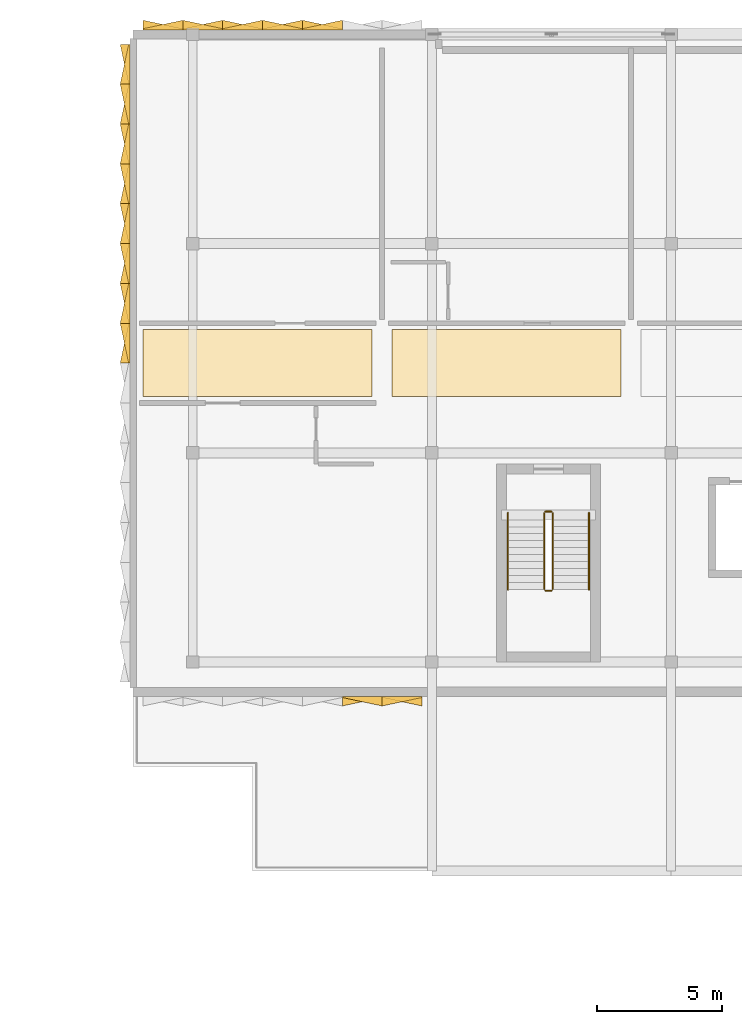
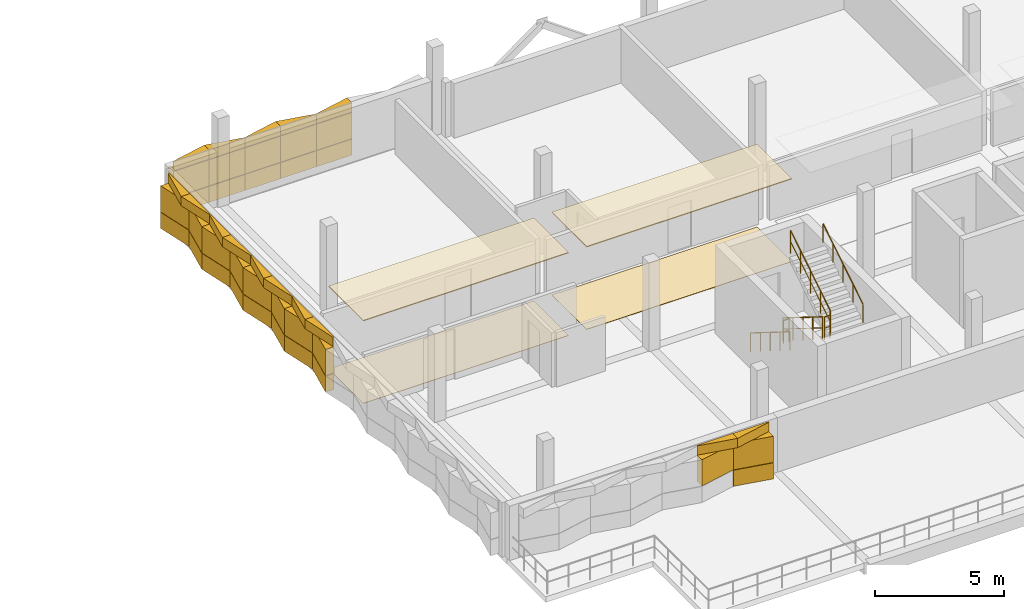
# One storey, part 10 of 13: 48 coverings, 6 railings.
"""IFC4 building model written with IfcOpenShell, lengths in metres."""

from ifc_helpers import new_model, si_unit, direction, frame, origin, origin_2d, place, context, subcontext, project, spatial, polyline, circle, outline, extrude, material, layer, layer_set, type_object, element, save


model = new_model("IFC4")

# Units and contexts
model_context = context("Model", 3, precision=1e-05, world=origin(), true_north=direction((0.0, 1.0)))
body_context = subcontext(model_context, "Body", "Model", "MODEL_VIEW")
ifc_project = project(units=[si_unit("LENGTHUNIT", "METRE"), si_unit("AREAUNIT", "SQUARE_METRE"), si_unit("VOLUMEUNIT", "CUBIC_METRE"), si_unit("PLANEANGLEUNIT", "RADIAN"), si_unit("MASSUNIT", "GRAM", prefix="KILO")], contexts=[model_context])

# Site, building, storey
site_placement = place(None, origin())
site = spatial("IfcSite", under=ifc_project, at=site_placement, CompositionType="ELEMENT")
building_placement = place(site_placement, origin())
building = spatial("IfcBuilding", under=site, at=building_placement, Name="Oolite Switchyard Hospital", CompositionType="ELEMENT")
storey_placement = place(building_placement, frame((0.0, 0.0, 30.39990234375)))
storey = spatial("IfcBuildingStorey", under=building, at=storey_placement, Name="L07", CompositionType="ELEMENT", Elevation=30.39990234375)

# Coverings
ifc_material_1 = material(Name="Hygienic washable mineral-fibre acoustic ceiling")
ifc_layer_1 = layer(ifc_material_1, 0.0400390625)
ifc_layer_set_1 = layer_set([ifc_layer_1], Name="COV-CEIL-AC60")
covering_type_1 = type_object("IfcCoveringType", Name="COV-CEIL-AC60", PredefinedType="CEILING", material=ifc_layer_set_1)
covering_1_placement = place(storey_placement, frame((0.0, 0.0, 3.91015625)))
element("IfcCovering", 1, at=covering_1_placement, inside=storey, type_object=covering_type_1, Name="L07 Transplant and AIIR Isolation Ward Corridor Ceiling 1", PredefinedType="CEILING", context=body_context, shape_type="SweptSolid", body=[
    extrude(outline(polyline([(142.0, 119.85009765625), (151.199951171875, 119.85009765625), (151.199951171875, 122.550048828125), (142.0, 122.550048828125), (142.0, 119.85009765625)])), origin(), (0.0, 0.0, 1.0), 0.0400390625),
])
covering_2_placement = place(storey_placement, frame((0.0, 0.0, 3.91015625)))
element("IfcCovering", 2, at=covering_2_placement, inside=storey, type_object=covering_type_1, Name="L07 Transplant and AIIR Isolation Ward Corridor Ceiling 2", PredefinedType="CEILING", context=body_context, shape_type="SweptSolid", body=[
    extrude(outline(polyline([(152.0, 119.85009765625), (161.199951171875, 119.85009765625), (161.199951171875, 122.550048828125), (152.0, 122.550048828125), (152.0, 119.85009765625)])), origin(), (0.0, 0.0, 1.0), 0.0400390625),
])
ifc_material_2 = material(Name="Precast oolitic limestone architectural concrete C40/50", Category="masonry")
covering_type_2 = type_object("IfcCoveringType", Name="COV-CHEV-COOL", PredefinedType="CLADDING", material=ifc_material_2)
covering_3_placement = place(storey_placement, frame((153.199951171875, 107.820068359375, 0.050048828125), z_axis=(0.0, 0.0, 1.0), x_axis=(-1.0, 0.0, 0.0)))
element("IfcCovering", 3, at=covering_3_placement, inside=storey, type_object=covering_type_2, Name="L07 Chevron Precast Oolite Panel 1697", PredefinedType="CLADDING", context=body_context, shape_type="SweptSolid", body=[
    extrude(outline(polyline([(0.0, 0.0), (1.599853515625, 0.0), (1.599853515625, 0.044921875), (0.0, 0.385009765625), (0.0, 0.0)])), origin(), (0.0, 0.0, 1.0), 0.760009765625),
])
covering_4_placement = place(storey_placement, frame((153.199951171875, 107.820068359375, 2.090087890625), z_axis=(0.0, 0.0, 1.0), x_axis=(-1.0, 0.0, 0.0)))
element("IfcCovering", 4, at=covering_4_placement, inside=storey, type_object=covering_type_2, Name="L07 Chevron Precast Oolite Panel 1698", PredefinedType="CLADDING", context=body_context, shape_type="SweptSolid", body=[
    extrude(outline(polyline([(0.0, 0.0), (1.599853515625, 0.0), (1.599853515625, 0.385009765625), (0.0, 0.044921875), (0.0, 0.0)])), origin(), (0.0, 0.0, 1.0), 0.43994140625),
])
covering_5_placement = place(storey_placement, frame((153.199951171875, 107.820068359375, 0.830078125), z_axis=(0.0, 0.0, 1.0), x_axis=(-1.0, 0.0, 0.0)))
element("IfcCovering", 5, at=covering_5_placement, inside=storey, type_object=covering_type_2, Name="L07 Chevron Precast Oolite Panel 1699", PredefinedType="CLADDING", context=body_context, shape_type="SweptSolid", body=[
    extrude(outline(polyline([(0.0, 0.0), (1.599853515625, 0.0), (1.599853515625, 0.044921875), (0.0, 0.385009765625), (0.0, 0.0)])), origin(), (0.0, 0.0, 1.0), 1.239990234375),
])
covering_6_placement = place(storey_placement, frame((151.60009765625, 107.820068359375, 2.090087890625), z_axis=(0.0, 0.0, 1.0), x_axis=(-1.0, 0.0, 0.0)))
element("IfcCovering", 6, at=covering_6_placement, inside=storey, type_object=covering_type_2, Name="L07 Chevron Precast Oolite Panel 1701", PredefinedType="CLADDING", context=body_context, shape_type="SweptSolid", body=[
    extrude(outline(polyline([(0.0, 0.0), (1.60009765625, 0.0), (1.60009765625, 0.044921875), (0.0, 0.385009765625), (0.0, 0.0)])), origin(), (0.0, 0.0, 1.0), 0.43994140625),
])
covering_7_placement = place(storey_placement, frame((151.60009765625, 107.820068359375, 0.830078125), z_axis=(0.0, 0.0, 1.0), x_axis=(-1.0, 0.0, 0.0)))
element("IfcCovering", 7, at=covering_7_placement, inside=storey, type_object=covering_type_2, Name="L07 Chevron Precast Oolite Panel 1702", PredefinedType="CLADDING", context=body_context, shape_type="SweptSolid", body=[
    extrude(outline(polyline([(0.0, 0.0), (1.60009765625, 0.0), (1.60009765625, 0.385009765625), (0.0, 0.044921875), (0.0, 0.0)])), origin(), (0.0, 0.0, 1.0), 1.239990234375),
])
covering_8_placement = place(storey_placement, frame((142.0, 134.580078125, 0.050048828125), z_axis=(0.0, 0.0, 1.0), x_axis=(1.0, 0.0, 0.0)))
element("IfcCovering", 8, at=covering_8_placement, inside=storey, type_object=covering_type_2, Name="L07 Chevron Precast Oolite Panel 1793", PredefinedType="CLADDING", context=body_context, shape_type="SweptSolid", body=[
    extrude(outline(polyline([(0.0, 0.0), (1.60009765625, 0.0), (1.60009765625, 0.044921875), (0.0, 0.385009765625), (0.0, 0.0)])), origin(), (0.0, 0.0, 1.0), 0.760009765625),
])
covering_9_placement = place(storey_placement, frame((142.0, 134.580078125, 2.090087890625), z_axis=(0.0, 0.0, 1.0), x_axis=(1.0, 0.0, 0.0)))
element("IfcCovering", 9, at=covering_9_placement, inside=storey, type_object=covering_type_2, Name="L07 Chevron Precast Oolite Panel 1794", PredefinedType="CLADDING", context=body_context, shape_type="SweptSolid", body=[
    extrude(outline(polyline([(0.0, 0.0), (1.60009765625, 0.0), (1.60009765625, 0.385009765625), (0.0, 0.044921875), (0.0, 0.0)])), origin(), (0.0, 0.0, 1.0), 0.43994140625),
])
covering_10_placement = place(storey_placement, frame((142.0, 134.580078125, 0.830078125), z_axis=(0.0, 0.0, 1.0), x_axis=(1.0, 0.0, 0.0)))
element("IfcCovering", 10, at=covering_10_placement, inside=storey, type_object=covering_type_2, Name="L07 Chevron Precast Oolite Panel 1795", PredefinedType="CLADDING", context=body_context, shape_type="SweptSolid", body=[
    extrude(outline(polyline([(0.0, 0.0), (1.60009765625, 0.0), (1.60009765625, 0.044921875), (0.0, 0.385009765625), (0.0, 0.0)])), origin(), (0.0, 0.0, 1.0), 1.239990234375),
])
covering_11_placement = place(storey_placement, frame((143.60009765625, 134.580078125, 0.050048828125), z_axis=(0.0, 0.0, 1.0), x_axis=(1.0, 0.0, 0.0)))
element("IfcCovering", 11, at=covering_11_placement, inside=storey, type_object=covering_type_2, Name="L07 Chevron Precast Oolite Panel 1796", PredefinedType="CLADDING", context=body_context, shape_type="SweptSolid", body=[
    extrude(outline(polyline([(0.0, 0.0), (1.599853515625, 0.0), (1.599853515625, 0.385009765625), (0.0, 0.044921875), (0.0, 0.0)])), origin(), (0.0, 0.0, 1.0), 0.760009765625),
])
covering_12_placement = place(storey_placement, frame((143.60009765625, 134.580078125, 2.090087890625), z_axis=(0.0, 0.0, 1.0), x_axis=(1.0, 0.0, 0.0)))
element("IfcCovering", 12, at=covering_12_placement, inside=storey, type_object=covering_type_2, Name="L07 Chevron Precast Oolite Panel 1797", PredefinedType="CLADDING", context=body_context, shape_type="SweptSolid", body=[
    extrude(outline(polyline([(0.0, 0.0), (1.599853515625, 0.0), (1.599853515625, 0.044921875), (0.0, 0.385009765625), (0.0, 0.0)])), origin(), (0.0, 0.0, 1.0), 0.43994140625),
])
covering_13_placement = place(storey_placement, frame((143.60009765625, 134.580078125, 0.830078125), z_axis=(0.0, 0.0, 1.0), x_axis=(1.0, 0.0, 0.0)))
element("IfcCovering", 13, at=covering_13_placement, inside=storey, type_object=covering_type_2, Name="L07 Chevron Precast Oolite Panel 1798", PredefinedType="CLADDING", context=body_context, shape_type="SweptSolid", body=[
    extrude(outline(polyline([(0.0, 0.0), (1.599853515625, 0.0), (1.599853515625, 0.385009765625), (0.0, 0.044921875), (0.0, 0.0)])), origin(), (0.0, 0.0, 1.0), 1.239990234375),
])
covering_14_placement = place(storey_placement, frame((145.199951171875, 134.580078125, 0.050048828125), z_axis=(0.0, 0.0, 1.0), x_axis=(1.0, 0.0, 0.0)))
element("IfcCovering", 14, at=covering_14_placement, inside=storey, type_object=covering_type_2, Name="L07 Chevron Precast Oolite Panel 1799", PredefinedType="CLADDING", context=body_context, shape_type="SweptSolid", body=[
    extrude(outline(polyline([(0.0, 0.0), (1.60009765625, 0.0), (1.60009765625, 0.044921875), (0.0, 0.385009765625), (0.0, 0.0)])), origin(), (0.0, 0.0, 1.0), 0.760009765625),
])
covering_15_placement = place(storey_placement, frame((145.199951171875, 134.580078125, 2.090087890625), z_axis=(0.0, 0.0, 1.0), x_axis=(1.0, 0.0, 0.0)))
element("IfcCovering", 15, at=covering_15_placement, inside=storey, type_object=covering_type_2, Name="L07 Chevron Precast Oolite Panel 1800", PredefinedType="CLADDING", context=body_context, shape_type="SweptSolid", body=[
    extrude(outline(polyline([(0.0, 0.0), (1.60009765625, 0.0), (1.60009765625, 0.385009765625), (0.0, 0.044921875), (0.0, 0.0)])), origin(), (0.0, 0.0, 1.0), 0.43994140625),
])
covering_16_placement = place(storey_placement, frame((145.199951171875, 134.580078125, 0.830078125), z_axis=(0.0, 0.0, 1.0), x_axis=(1.0, 0.0, 0.0)))
element("IfcCovering", 16, at=covering_16_placement, inside=storey, type_object=covering_type_2, Name="L07 Chevron Precast Oolite Panel 1801", PredefinedType="CLADDING", context=body_context, shape_type="SweptSolid", body=[
    extrude(outline(polyline([(0.0, 0.0), (1.60009765625, 0.0), (1.60009765625, 0.044921875), (0.0, 0.385009765625), (0.0, 0.0)])), origin(), (0.0, 0.0, 1.0), 1.239990234375),
])
covering_17_placement = place(storey_placement, frame((146.800048828125, 134.580078125, 0.050048828125), z_axis=(0.0, 0.0, 1.0), x_axis=(1.0, 0.0, 0.0)))
element("IfcCovering", 17, at=covering_17_placement, inside=storey, type_object=covering_type_2, Name="L07 Chevron Precast Oolite Panel 1802", PredefinedType="CLADDING", context=body_context, shape_type="SweptSolid", body=[
    extrude(outline(polyline([(0.0, 0.0), (1.599853515625, 0.0), (1.599853515625, 0.385009765625), (0.0, 0.044921875), (0.0, 0.0)])), origin(), (0.0, 0.0, 1.0), 0.760009765625),
])
covering_18_placement = place(storey_placement, frame((146.800048828125, 134.580078125, 2.090087890625), z_axis=(0.0, 0.0, 1.0), x_axis=(1.0, 0.0, 0.0)))
element("IfcCovering", 18, at=covering_18_placement, inside=storey, type_object=covering_type_2, Name="L07 Chevron Precast Oolite Panel 1803", PredefinedType="CLADDING", context=body_context, shape_type="SweptSolid", body=[
    extrude(outline(polyline([(0.0, 0.0), (1.599853515625, 0.0), (1.599853515625, 0.044921875), (0.0, 0.385009765625), (0.0, 0.0)])), origin(), (0.0, 0.0, 1.0), 0.43994140625),
])
covering_19_placement = place(storey_placement, frame((146.800048828125, 134.580078125, 0.830078125), z_axis=(0.0, 0.0, 1.0), x_axis=(1.0, 0.0, 0.0)))
element("IfcCovering", 19, at=covering_19_placement, inside=storey, type_object=covering_type_2, Name="L07 Chevron Precast Oolite Panel 1804", PredefinedType="CLADDING", context=body_context, shape_type="SweptSolid", body=[
    extrude(outline(polyline([(0.0, 0.0), (1.599853515625, 0.0), (1.599853515625, 0.385009765625), (0.0, 0.044921875), (0.0, 0.0)])), origin(), (0.0, 0.0, 1.0), 1.239990234375),
])
covering_20_placement = place(storey_placement, frame((148.39990234375, 134.580078125, 0.050048828125), z_axis=(0.0, 0.0, 1.0), x_axis=(1.0, 0.0, 0.0)))
element("IfcCovering", 20, at=covering_20_placement, inside=storey, type_object=covering_type_2, Name="L07 Chevron Precast Oolite Panel 1805", PredefinedType="CLADDING", context=body_context, shape_type="SweptSolid", body=[
    extrude(outline(polyline([(0.0, 0.0), (1.60009765625, 0.0), (1.60009765625, 0.044921875), (0.0, 0.385009765625), (0.0, 0.0)])), origin(), (0.0, 0.0, 1.0), 0.760009765625),
])
covering_21_placement = place(storey_placement, frame((148.39990234375, 134.580078125, 2.090087890625), z_axis=(0.0, 0.0, 1.0), x_axis=(1.0, 0.0, 0.0)))
element("IfcCovering", 21, at=covering_21_placement, inside=storey, type_object=covering_type_2, Name="L07 Chevron Precast Oolite Panel 1806", PredefinedType="CLADDING", context=body_context, shape_type="SweptSolid", body=[
    extrude(outline(polyline([(0.0, 0.0), (1.60009765625, 0.0), (1.60009765625, 0.385009765625), (0.0, 0.044921875), (0.0, 0.0)])), origin(), (0.0, 0.0, 1.0), 0.43994140625),
])
covering_22_placement = place(storey_placement, frame((148.39990234375, 134.580078125, 0.830078125), z_axis=(0.0, 0.0, 1.0), x_axis=(1.0, 0.0, 0.0)))
element("IfcCovering", 22, at=covering_22_placement, inside=storey, type_object=covering_type_2, Name="L07 Chevron Precast Oolite Panel 1807", PredefinedType="CLADDING", context=body_context, shape_type="SweptSolid", body=[
    extrude(outline(polyline([(0.0, 0.0), (1.60009765625, 0.0), (1.60009765625, 0.044921875), (0.0, 0.385009765625), (0.0, 0.0)])), origin(), (0.0, 0.0, 1.0), 1.239990234375),
])
covering_23_placement = place(storey_placement, frame((141.469970703125, 121.199951171875, 0.050048828125), z_axis=(0.0, 0.0, 1.0), x_axis=(0.0, 1.0, 0.0)))
element("IfcCovering", 23, at=covering_23_placement, inside=storey, type_object=covering_type_2, Name="L07 Chevron Precast Oolite Panel 1868", PredefinedType="CLADDING", context=body_context, shape_type="SweptSolid", body=[
    extrude(outline(polyline([(0.0, 0.0), (1.60009765625, 0.0), (1.60009765625, 0.044921875), (0.0, 0.385009765625), (0.0, 0.0)])), origin(), (0.0, 0.0, 1.0), 0.760009765625),
])
covering_24_placement = place(storey_placement, frame((141.469970703125, 121.199951171875, 2.090087890625), z_axis=(0.0, 0.0, 1.0), x_axis=(0.0, 1.0, 0.0)))
element("IfcCovering", 24, at=covering_24_placement, inside=storey, type_object=covering_type_2, Name="L07 Chevron Precast Oolite Panel 1869", PredefinedType="CLADDING", context=body_context, shape_type="SweptSolid", body=[
    extrude(outline(polyline([(0.0, 0.0), (1.60009765625, 0.0), (1.60009765625, 0.385009765625), (0.0, 0.044921875), (0.0, 0.0)])), origin(), (0.0, 0.0, 1.0), 0.43994140625),
])
covering_25_placement = place(storey_placement, frame((141.469970703125, 121.199951171875, 0.830078125), z_axis=(0.0, 0.0, 1.0), x_axis=(0.0, 1.0, 0.0)))
element("IfcCovering", 25, at=covering_25_placement, inside=storey, type_object=covering_type_2, Name="L07 Chevron Precast Oolite Panel 1870", PredefinedType="CLADDING", context=body_context, shape_type="SweptSolid", body=[
    extrude(outline(polyline([(0.0, 0.0), (1.60009765625, 0.0), (1.60009765625, 0.044921875), (0.0, 0.385009765625), (0.0, 0.0)])), origin(), (0.0, 0.0, 1.0), 1.239990234375),
])
covering_26_placement = place(storey_placement, frame((141.469970703125, 122.800048828125, 0.050048828125), z_axis=(0.0, 0.0, 1.0), x_axis=(0.0, 1.0, 0.0)))
element("IfcCovering", 26, at=covering_26_placement, inside=storey, type_object=covering_type_2, Name="L07 Chevron Precast Oolite Panel 1871", PredefinedType="CLADDING", context=body_context, shape_type="SweptSolid", body=[
    extrude(outline(polyline([(0.0, 0.0), (1.599853515625, 0.0), (1.599853515625, 0.385009765625), (0.0, 0.044921875), (0.0, 0.0)])), origin(), (0.0, 0.0, 1.0), 0.760009765625),
])
covering_27_placement = place(storey_placement, frame((141.469970703125, 122.800048828125, 2.090087890625), z_axis=(0.0, 0.0, 1.0), x_axis=(0.0, 1.0, 0.0)))
element("IfcCovering", 27, at=covering_27_placement, inside=storey, type_object=covering_type_2, Name="L07 Chevron Precast Oolite Panel 1872", PredefinedType="CLADDING", context=body_context, shape_type="SweptSolid", body=[
    extrude(outline(polyline([(0.0, 0.0), (1.599853515625, 0.0), (1.599853515625, 0.044921875), (0.0, 0.385009765625), (0.0, 0.0)])), origin(), (0.0, 0.0, 1.0), 0.43994140625),
])
covering_28_placement = place(storey_placement, frame((141.469970703125, 122.800048828125, 0.830078125), z_axis=(0.0, 0.0, 1.0), x_axis=(0.0, 1.0, 0.0)))
element("IfcCovering", 28, at=covering_28_placement, inside=storey, type_object=covering_type_2, Name="L07 Chevron Precast Oolite Panel 1873", PredefinedType="CLADDING", context=body_context, shape_type="SweptSolid", body=[
    extrude(outline(polyline([(0.0, 0.0), (1.599853515625, 0.0), (1.599853515625, 0.385009765625), (0.0, 0.044921875), (0.0, 0.0)])), origin(), (0.0, 0.0, 1.0), 1.239990234375),
])
covering_29_placement = place(storey_placement, frame((141.469970703125, 124.39990234375, 0.050048828125), z_axis=(0.0, 0.0, 1.0), x_axis=(0.0, 1.0, 0.0)))
element("IfcCovering", 29, at=covering_29_placement, inside=storey, type_object=covering_type_2, Name="L07 Chevron Precast Oolite Panel 1874", PredefinedType="CLADDING", context=body_context, shape_type="SweptSolid", body=[
    extrude(outline(polyline([(0.0, 0.0), (1.60009765625, 0.0), (1.60009765625, 0.044921875), (0.0, 0.385009765625), (0.0, 0.0)])), origin(), (0.0, 0.0, 1.0), 0.760009765625),
])
covering_30_placement = place(storey_placement, frame((141.469970703125, 124.39990234375, 2.090087890625), z_axis=(0.0, 0.0, 1.0), x_axis=(0.0, 1.0, 0.0)))
element("IfcCovering", 30, at=covering_30_placement, inside=storey, type_object=covering_type_2, Name="L07 Chevron Precast Oolite Panel 1875", PredefinedType="CLADDING", context=body_context, shape_type="SweptSolid", body=[
    extrude(outline(polyline([(0.0, 0.0), (1.60009765625, 0.0), (1.60009765625, 0.385009765625), (0.0, 0.044921875), (0.0, 0.0)])), origin(), (0.0, 0.0, 1.0), 0.43994140625),
])
covering_31_placement = place(storey_placement, frame((141.469970703125, 124.39990234375, 0.830078125), z_axis=(0.0, 0.0, 1.0), x_axis=(0.0, 1.0, 0.0)))
element("IfcCovering", 31, at=covering_31_placement, inside=storey, type_object=covering_type_2, Name="L07 Chevron Precast Oolite Panel 1876", PredefinedType="CLADDING", context=body_context, shape_type="SweptSolid", body=[
    extrude(outline(polyline([(0.0, 0.0), (1.60009765625, 0.0), (1.60009765625, 0.044921875), (0.0, 0.385009765625), (0.0, 0.0)])), origin(), (0.0, 0.0, 1.0), 1.239990234375),
])
covering_32_placement = place(storey_placement, frame((141.469970703125, 126.0, 0.050048828125), z_axis=(0.0, 0.0, 1.0), x_axis=(0.0, 1.0, 0.0)))
element("IfcCovering", 32, at=covering_32_placement, inside=storey, type_object=covering_type_2, Name="L07 Chevron Precast Oolite Panel 1877", PredefinedType="CLADDING", context=body_context, shape_type="SweptSolid", body=[
    extrude(outline(polyline([(0.0, 0.0), (1.60009765625, 0.0), (1.60009765625, 0.385009765625), (0.0, 0.044921875), (0.0, 0.0)])), origin(), (0.0, 0.0, 1.0), 0.760009765625),
])
covering_33_placement = place(storey_placement, frame((141.469970703125, 126.0, 2.090087890625), z_axis=(0.0, 0.0, 1.0), x_axis=(0.0, 1.0, 0.0)))
element("IfcCovering", 33, at=covering_33_placement, inside=storey, type_object=covering_type_2, Name="L07 Chevron Precast Oolite Panel 1878", PredefinedType="CLADDING", context=body_context, shape_type="SweptSolid", body=[
    extrude(outline(polyline([(0.0, 0.0), (1.60009765625, 0.0), (1.60009765625, 0.044921875), (0.0, 0.385009765625), (0.0, 0.0)])), origin(), (0.0, 0.0, 1.0), 0.43994140625),
])
covering_34_placement = place(storey_placement, frame((141.469970703125, 126.0, 0.830078125), z_axis=(0.0, 0.0, 1.0), x_axis=(0.0, 1.0, 0.0)))
element("IfcCovering", 34, at=covering_34_placement, inside=storey, type_object=covering_type_2, Name="L07 Chevron Precast Oolite Panel 1879", PredefinedType="CLADDING", context=body_context, shape_type="SweptSolid", body=[
    extrude(outline(polyline([(0.0, 0.0), (1.60009765625, 0.0), (1.60009765625, 0.385009765625), (0.0, 0.044921875), (0.0, 0.0)])), origin(), (0.0, 0.0, 1.0), 1.239990234375),
])
covering_35_placement = place(storey_placement, frame((141.469970703125, 127.60009765625, 0.050048828125), z_axis=(0.0, 0.0, 1.0), x_axis=(0.0, 1.0, 0.0)))
element("IfcCovering", 35, at=covering_35_placement, inside=storey, type_object=covering_type_2, Name="L07 Chevron Precast Oolite Panel 1880", PredefinedType="CLADDING", context=body_context, shape_type="SweptSolid", body=[
    extrude(outline(polyline([(0.0, 0.0), (1.599853515625, 0.0), (1.599853515625, 0.044921875), (0.0, 0.385009765625), (0.0, 0.0)])), origin(), (0.0, 0.0, 1.0), 0.760009765625),
])
covering_36_placement = place(storey_placement, frame((141.469970703125, 127.60009765625, 2.090087890625), z_axis=(0.0, 0.0, 1.0), x_axis=(0.0, 1.0, 0.0)))
element("IfcCovering", 36, at=covering_36_placement, inside=storey, type_object=covering_type_2, Name="L07 Chevron Precast Oolite Panel 1881", PredefinedType="CLADDING", context=body_context, shape_type="SweptSolid", body=[
    extrude(outline(polyline([(0.0, 0.0), (1.599853515625, 0.0), (1.599853515625, 0.385009765625), (0.0, 0.044921875), (0.0, 0.0)])), origin(), (0.0, 0.0, 1.0), 0.43994140625),
])
covering_37_placement = place(storey_placement, frame((141.469970703125, 127.60009765625, 0.830078125), z_axis=(0.0, 0.0, 1.0), x_axis=(0.0, 1.0, 0.0)))
element("IfcCovering", 37, at=covering_37_placement, inside=storey, type_object=covering_type_2, Name="L07 Chevron Precast Oolite Panel 1882", PredefinedType="CLADDING", context=body_context, shape_type="SweptSolid", body=[
    extrude(outline(polyline([(0.0, 0.0), (1.599853515625, 0.0), (1.599853515625, 0.044921875), (0.0, 0.385009765625), (0.0, 0.0)])), origin(), (0.0, 0.0, 1.0), 1.239990234375),
])
covering_38_placement = place(storey_placement, frame((141.469970703125, 129.199951171875, 0.050048828125), z_axis=(0.0, 0.0, 1.0), x_axis=(0.0, 1.0, 0.0)))
element("IfcCovering", 38, at=covering_38_placement, inside=storey, type_object=covering_type_2, Name="L07 Chevron Precast Oolite Panel 1883", PredefinedType="CLADDING", context=body_context, shape_type="SweptSolid", body=[
    extrude(outline(polyline([(0.0, 0.0), (1.60009765625, 0.0), (1.60009765625, 0.385009765625), (0.0, 0.044921875), (0.0, 0.0)])), origin(), (0.0, 0.0, 1.0), 0.760009765625),
])
covering_39_placement = place(storey_placement, frame((141.469970703125, 129.199951171875, 2.090087890625), z_axis=(0.0, 0.0, 1.0), x_axis=(0.0, 1.0, 0.0)))
element("IfcCovering", 39, at=covering_39_placement, inside=storey, type_object=covering_type_2, Name="L07 Chevron Precast Oolite Panel 1884", PredefinedType="CLADDING", context=body_context, shape_type="SweptSolid", body=[
    extrude(outline(polyline([(0.0, 0.0), (1.60009765625, 0.0), (1.60009765625, 0.044921875), (0.0, 0.385009765625), (0.0, 0.0)])), origin(), (0.0, 0.0, 1.0), 0.43994140625),
])
covering_40_placement = place(storey_placement, frame((141.469970703125, 129.199951171875, 0.830078125), z_axis=(0.0, 0.0, 1.0), x_axis=(0.0, 1.0, 0.0)))
element("IfcCovering", 40, at=covering_40_placement, inside=storey, type_object=covering_type_2, Name="L07 Chevron Precast Oolite Panel 1885", PredefinedType="CLADDING", context=body_context, shape_type="SweptSolid", body=[
    extrude(outline(polyline([(0.0, 0.0), (1.60009765625, 0.0), (1.60009765625, 0.385009765625), (0.0, 0.044921875), (0.0, 0.0)])), origin(), (0.0, 0.0, 1.0), 1.239990234375),
])
covering_41_placement = place(storey_placement, frame((141.469970703125, 130.800048828125, 0.050048828125), z_axis=(0.0, 0.0, 1.0), x_axis=(0.0, 1.0, 0.0)))
element("IfcCovering", 41, at=covering_41_placement, inside=storey, type_object=covering_type_2, Name="L07 Chevron Precast Oolite Panel 1886", PredefinedType="CLADDING", context=body_context, shape_type="SweptSolid", body=[
    extrude(outline(polyline([(0.0, 0.0), (1.599853515625, 0.0), (1.599853515625, 0.044921875), (0.0, 0.385009765625), (0.0, 0.0)])), origin(), (0.0, 0.0, 1.0), 0.760009765625),
])
covering_42_placement = place(storey_placement, frame((141.469970703125, 130.800048828125, 2.090087890625), z_axis=(0.0, 0.0, 1.0), x_axis=(0.0, 1.0, 0.0)))
element("IfcCovering", 42, at=covering_42_placement, inside=storey, type_object=covering_type_2, Name="L07 Chevron Precast Oolite Panel 1887", PredefinedType="CLADDING", context=body_context, shape_type="SweptSolid", body=[
    extrude(outline(polyline([(0.0, 0.0), (1.599853515625, 0.0), (1.599853515625, 0.385009765625), (0.0, 0.044921875), (0.0, 0.0)])), origin(), (0.0, 0.0, 1.0), 0.43994140625),
])
covering_43_placement = place(storey_placement, frame((141.469970703125, 130.800048828125, 0.830078125), z_axis=(0.0, 0.0, 1.0), x_axis=(0.0, 1.0, 0.0)))
element("IfcCovering", 43, at=covering_43_placement, inside=storey, type_object=covering_type_2, Name="L07 Chevron Precast Oolite Panel 1888", PredefinedType="CLADDING", context=body_context, shape_type="SweptSolid", body=[
    extrude(outline(polyline([(0.0, 0.0), (1.599853515625, 0.0), (1.599853515625, 0.044921875), (0.0, 0.385009765625), (0.0, 0.0)])), origin(), (0.0, 0.0, 1.0), 1.239990234375),
])
covering_44_placement = place(storey_placement, frame((141.469970703125, 132.39990234375, 0.050048828125), z_axis=(0.0, 0.0, 1.0), x_axis=(0.0, 1.0, 0.0)))
element("IfcCovering", 44, at=covering_44_placement, inside=storey, type_object=covering_type_2, Name="L07 Chevron Precast Oolite Panel 1889", PredefinedType="CLADDING", context=body_context, shape_type="SweptSolid", body=[
    extrude(outline(polyline([(0.0, 0.0), (1.60009765625, 0.0), (1.60009765625, 0.385009765625), (0.0, 0.044921875), (0.0, 0.0)])), origin(), (0.0, 0.0, 1.0), 0.760009765625),
])
covering_45_placement = place(storey_placement, frame((141.469970703125, 132.39990234375, 2.090087890625), z_axis=(0.0, 0.0, 1.0), x_axis=(0.0, 1.0, 0.0)))
element("IfcCovering", 45, at=covering_45_placement, inside=storey, type_object=covering_type_2, Name="L07 Chevron Precast Oolite Panel 1890", PredefinedType="CLADDING", context=body_context, shape_type="SweptSolid", body=[
    extrude(outline(polyline([(0.0, 0.0), (1.60009765625, 0.0), (1.60009765625, 0.044921875), (0.0, 0.385009765625), (0.0, 0.0)])), origin(), (0.0, 0.0, 1.0), 0.43994140625),
])
covering_46_placement = place(storey_placement, frame((141.469970703125, 132.39990234375, 0.830078125), z_axis=(0.0, 0.0, 1.0), x_axis=(0.0, 1.0, 0.0)))
element("IfcCovering", 46, at=covering_46_placement, inside=storey, type_object=covering_type_2, Name="L07 Chevron Precast Oolite Panel 1891", PredefinedType="CLADDING", context=body_context, shape_type="SweptSolid", body=[
    extrude(outline(polyline([(0.0, 0.0), (1.60009765625, 0.0), (1.60009765625, 0.385009765625), (0.0, 0.044921875), (0.0, 0.0)])), origin(), (0.0, 0.0, 1.0), 1.239990234375),
])
ifc_material_3 = material(Name="Epoxy terrazzo seamless clinical flooring")
ifc_layer_2 = layer(ifc_material_3, 0.02001953125)
ifc_layer_set_2 = layer_set([ifc_layer_2], Name="COV-FLR-TER20")
covering_type_3 = type_object("IfcCoveringType", Name="COV-FLR-TER20", PredefinedType="FLOORING", material=ifc_layer_set_2)
covering_47_placement = place(storey_placement, origin())
element("IfcCovering", 47, at=covering_47_placement, inside=storey, type_object=covering_type_3, Name="L07 Transplant and AIIR Isolation Ward Corridor Flooring 1", PredefinedType="FLOORING", context=body_context, shape_type="SweptSolid", body=[
    extrude(outline(polyline([(142.0, 119.85009765625), (151.199951171875, 119.85009765625), (151.199951171875, 122.550048828125), (142.0, 122.550048828125), (142.0, 119.85009765625)])), origin(), (0.0, 0.0, 1.0), 0.02001953125),
])
covering_48_placement = place(storey_placement, origin())
element("IfcCovering", 48, at=covering_48_placement, inside=storey, type_object=covering_type_3, Name="L07 Transplant and AIIR Isolation Ward Corridor Flooring 2", PredefinedType="FLOORING", context=body_context, shape_type="SweptSolid", body=[
    extrude(outline(polyline([(152.0, 119.85009765625), (161.199951171875, 119.85009765625), (161.199951171875, 122.550048828125), (152.0, 122.550048828125), (152.0, 119.85009765625)])), origin(), (0.0, 0.0, 1.0), 0.02001953125),
])

# Railings
ifc_material_4 = material(Name="Galvanized painted architectural steel handrail", Category="steel")
railing_type_1 = type_object("IfcRailingType", Name="RL-STAIR-GRD", PredefinedType="GUARDRAIL", material=ifc_material_4)
railing_1_placement = place(storey_placement, frame((158.110107421875, 115.18994140625, 0.175048828125)))
element("IfcRailing", 49, at=railing_1_placement, inside=storey, type_object=railing_type_1, Name="L07 ST-03 stair guard 1", PredefinedType="GUARDRAIL", context=body_context, shape_type="SweptSolid", body=[
    extrude(circle(Radius=0.02392578125, at=origin_2d()), frame((0.0, 0.0, 1.076171875), z_axis=(0.0, -0.847979421464, 0.530029150871), x_axis=(1.0, 0.0, 0.0)), (0.0, 0.0, 1.0), 3.632080078125),
    extrude(circle(Radius=0.015625, at=origin_2d()), frame((0.0, 0.0, 0.550048828125), z_axis=(0.0, -0.847979421464, 0.530029150871), x_axis=(1.0, 0.0, 0.0)), (0.0, 0.0, 1.0), 3.632080078125),
    extrude(circle(Radius=0.02099609375, at=origin_2d()), origin(), (0.0, 0.0, 1.0), 1.052001953125),
    extrude(circle(Radius=0.02099609375, at=origin_2d()), frame((0.0, -0.77001953125, 0.481201171875)), (0.0, 0.0, 1.0), 1.052001953125),
    extrude(circle(Radius=0.02099609375, at=origin_2d()), frame((0.0, -1.5400390625, 0.96240234375)), (0.0, 0.0, 1.0), 1.052001953125),
    extrude(circle(Radius=0.02099609375, at=origin_2d()), frame((0.0, -2.309814453125, 1.44384765625)), (0.0, 0.0, 1.0), 1.052001953125),
    extrude(circle(Radius=0.02099609375, at=origin_2d()), frame((0.0, -3.079833984375, 1.925048828125)), (0.0, 0.0, 1.0), 1.052001953125),
])
railing_2_placement = place(storey_placement, frame((158.159912109375, 112.06005859375, 2.10009765625)))
element("IfcRailing", 50, at=railing_2_placement, inside=storey, type_object=railing_type_1, Name="L07 ST-03 stair guard 2", PredefinedType="GUARDRAIL", context=body_context, shape_type="SweptSolid", body=[
    extrude(circle(Radius=0.02392578125, at=origin_2d()), frame((0.0, 0.0, 1.076171875), z_axis=(1.0, 0.0, 0.0), x_axis=(0.0, 1.0, 0.0)), (0.0, 0.0, 1.0), 0.239990234375),
    extrude(circle(Radius=0.015625, at=origin_2d()), frame((0.0, 0.0, 0.550048828125), z_axis=(1.0, 0.0, 0.0), x_axis=(0.0, 1.0, 0.0)), (0.0, 0.0, 1.0), 0.239990234375),
    extrude(circle(Radius=0.02099609375, at=origin_2d()), origin(), (0.0, 0.0, 1.0), 1.052001953125),
    extrude(circle(Radius=0.02099609375, at=origin_2d()), frame((0.239990234375, 0.0, 0.0)), (0.0, 0.0, 1.0), 1.052001953125),
])
railing_3_placement = place(storey_placement, frame((158.449951171875, 112.110107421875, 2.275146484375)))
element("IfcRailing", 51, at=railing_3_placement, inside=storey, type_object=railing_type_1, Name="L07 ST-03 stair guard 3", PredefinedType="GUARDRAIL", context=body_context, shape_type="SweptSolid", body=[
    extrude(circle(Radius=0.02392578125, at=origin_2d()), frame((0.0, 0.0, 1.076171875), z_axis=(0.0, 0.847979421464, 0.530029150871), x_axis=(-1.0, 0.0, 0.0)), (0.0, 0.0, 1.0), 3.632080078125),
    extrude(circle(Radius=0.015625, at=origin_2d()), frame((0.0, 0.0, 0.550048828125), z_axis=(0.0, 0.847979421464, 0.530029150871), x_axis=(-1.0, 0.0, 0.0)), (0.0, 0.0, 1.0), 3.632080078125),
    extrude(circle(Radius=0.02099609375, at=origin_2d()), origin(), (0.0, 0.0, 1.0), 1.052001953125),
    extrude(circle(Radius=0.02099609375, at=origin_2d()), frame((0.0, 0.77001953125, 0.481201171875)), (0.0, 0.0, 1.0), 1.052001953125),
    extrude(circle(Radius=0.02099609375, at=origin_2d()), frame((0.0, 1.5400390625, 0.96240234375)), (0.0, 0.0, 1.0), 1.052001953125),
    extrude(circle(Radius=0.02099609375, at=origin_2d()), frame((0.0, 2.309814453125, 1.44384765625)), (0.0, 0.0, 1.0), 1.052001953125),
    extrude(circle(Radius=0.02099609375, at=origin_2d()), frame((0.0, 3.079833984375, 1.925048828125)), (0.0, 0.0, 1.0), 1.052001953125),
])
railing_4_placement = place(storey_placement, frame((158.159912109375, 115.239990234375, 0.0)))
element("IfcRailing", 52, at=railing_4_placement, inside=storey, type_object=railing_type_1, Name="L07 ST-03 stair guard 4", PredefinedType="GUARDRAIL", context=body_context, shape_type="SweptSolid", body=[
    extrude(circle(Radius=0.02392578125, at=origin_2d()), frame((0.0, 0.0, 1.076171875), z_axis=(1.0, 0.0, 0.0), x_axis=(0.0, 1.0, 0.0)), (0.0, 0.0, 1.0), 0.239990234375),
    extrude(circle(Radius=0.015625, at=origin_2d()), frame((0.0, 0.0, 0.550048828125), z_axis=(1.0, 0.0, 0.0), x_axis=(0.0, 1.0, 0.0)), (0.0, 0.0, 1.0), 0.239990234375),
    extrude(circle(Radius=0.02099609375, at=origin_2d()), origin(), (0.0, 0.0, 1.0), 1.052001953125),
    extrude(circle(Radius=0.02099609375, at=origin_2d()), frame((0.239990234375, 0.0, 0.0)), (0.0, 0.0, 1.0), 1.052001953125),
])
railing_type_2 = type_object("IfcRailingType", Name="RL-STAIR-HND", PredefinedType="HANDRAIL", material=ifc_material_4)
railing_5_placement = place(storey_placement, frame((156.64990234375, 115.18994140625, 0.175048828125)))
element("IfcRailing", 53, at=railing_5_placement, inside=storey, type_object=railing_type_2, Name="L07 ST-03 stair handrail 1", PredefinedType="HANDRAIL", context=body_context, shape_type="SweptSolid", body=[
    extrude(circle(Radius=0.02392578125, at=origin_2d()), frame((0.0, 0.0, 0.8759765625), z_axis=(0.0, -0.847979421464, 0.530029150871), x_axis=(1.0, 0.0, 0.0)), (0.0, 0.0, 1.0), 3.632080078125),
    extrude(circle(Radius=0.02099609375, at=origin_2d()), origin(), (0.0, 0.0, 1.0), 0.851806640625),
    extrude(circle(Radius=0.02099609375, at=origin_2d()), frame((0.0, -0.77001953125, 0.481201171875)), (0.0, 0.0, 1.0), 0.851806640625),
    extrude(circle(Radius=0.02099609375, at=origin_2d()), frame((0.0, -1.5400390625, 0.96240234375)), (0.0, 0.0, 1.0), 0.851806640625),
    extrude(circle(Radius=0.02099609375, at=origin_2d()), frame((0.0, -2.309814453125, 1.44384765625)), (0.0, 0.0, 1.0), 0.851806640625),
    extrude(circle(Radius=0.02099609375, at=origin_2d()), frame((0.0, -3.079833984375, 1.925048828125)), (0.0, 0.0, 1.0), 0.851806640625),
])
railing_6_placement = place(storey_placement, frame((159.909912109375, 112.110107421875, 2.275146484375)))
element("IfcRailing", 54, at=railing_6_placement, inside=storey, type_object=railing_type_2, Name="L07 ST-03 stair handrail 2", PredefinedType="HANDRAIL", context=body_context, shape_type="SweptSolid", body=[
    extrude(circle(Radius=0.02392578125, at=origin_2d()), frame((0.0, 0.0, 0.8759765625), z_axis=(0.0, 0.847979421464, 0.530029150871), x_axis=(-1.0, 0.0, 0.0)), (0.0, 0.0, 1.0), 3.632080078125),
    extrude(circle(Radius=0.02099609375, at=origin_2d()), origin(), (0.0, 0.0, 1.0), 0.851806640625),
    extrude(circle(Radius=0.02099609375, at=origin_2d()), frame((0.0, 0.77001953125, 0.481201171875)), (0.0, 0.0, 1.0), 0.851806640625),
    extrude(circle(Radius=0.02099609375, at=origin_2d()), frame((0.0, 1.5400390625, 0.96240234375)), (0.0, 0.0, 1.0), 0.851806640625),
    extrude(circle(Radius=0.02099609375, at=origin_2d()), frame((0.0, 2.309814453125, 1.44384765625)), (0.0, 0.0, 1.0), 0.851806640625),
    extrude(circle(Radius=0.02099609375, at=origin_2d()), frame((0.0, 3.079833984375, 1.925048828125)), (0.0, 0.0, 1.0), 0.851806640625),
])

save(model, "model.ifc")
